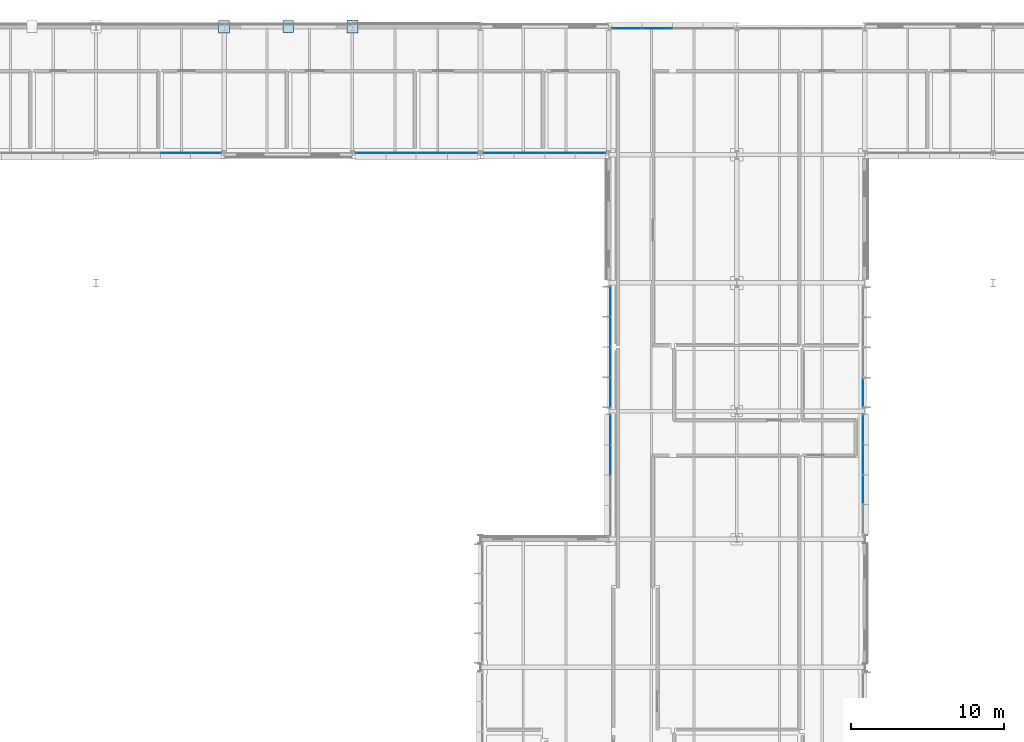
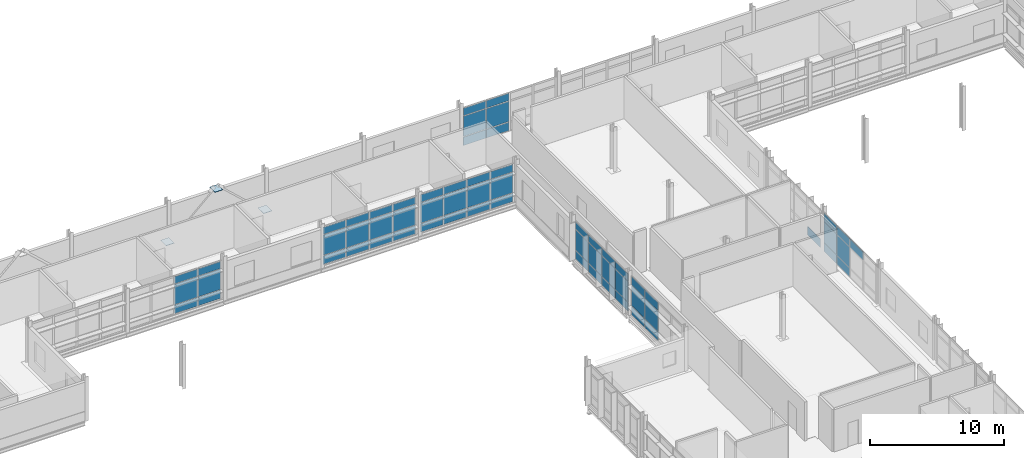
# One storey, part 113 of 151: 65 plates, 8 elements without a shape of their own.
"""IFC4 building model written with IfcOpenShell, lengths in metres."""

from ifc_helpers import new_model, si_unit, direction, frame, origin, origin_2d, place, context, subcontext, project, spatial, rectangle, extrude, material, layer, layer_set, type_object, element, aggregate, save


model = new_model("IFC4")

# Units and contexts
model_context = context("Model", 3, precision=1e-05, world=origin(), true_north=direction((0.0, 1.0)))
body_context = subcontext(model_context, "Body", "Model", "MODEL_VIEW")
ifc_project = project(units=[si_unit("LENGTHUNIT", "METRE"), si_unit("AREAUNIT", "SQUARE_METRE"), si_unit("VOLUMEUNIT", "CUBIC_METRE"), si_unit("PLANEANGLEUNIT", "RADIAN"), si_unit("MASSUNIT", "GRAM", prefix="KILO")], contexts=[model_context])

# Site, building, storey
site_placement = place(None, origin())
site = spatial("IfcSite", under=ifc_project, at=site_placement, CompositionType="ELEMENT")
building_placement = place(site_placement, origin())
building = spatial("IfcBuilding", under=site, at=building_placement, Name="Mersafa Astral City Hall", CompositionType="ELEMENT")
storey_placement = place(building_placement, frame((0.0, 0.0, 9.89990234375)))
storey = spatial("IfcBuildingStorey", under=building, at=storey_placement, Name="L02", CompositionType="ELEMENT", Elevation=9.89990234375)

# Curtain wall, plate
ifc_material_1 = material(Name="Anodised bronze aluminium framing", Category="aluminium")
curtain_wall_type_1 = type_object("IfcCurtainWallType", Name="ENV-CW-3", PredefinedType="USERDEFINED", material=ifc_material_1)
curtain_wall_1_placement = place(storey_placement, origin())
curtain_wall_1 = element("IfcCurtainWall", 1, at=curtain_wall_1_placement, inside=storey, type_object=curtain_wall_type_1, Name="L02 Unitised solar curtain wall 116", ObjectType="UNITISED CURTAIN WALL", PredefinedType="USERDEFINED")
ifc_material_2 = material(Name="Solar control low-e double glazing", Category="glass")
ifc_layer_1 = layer(ifc_material_2, 0.028076171875, Name="Solar control low-e double glazing")
ifc_layer_set_1 = layer_set([ifc_layer_1], Name="Solar control low-e double glazing — ENV-CW-PNL-GLZ-1")
plate_type_1 = type_object("IfcPlateType", Name="ENV-CW-PNL-GLZ-1", PredefinedType="CURTAIN_PANEL", material=ifc_layer_set_1)
plate_1_placement = place(storey_placement, frame((117.47998046875, 102.017822265625, 0.05810546875), z_axis=(0.0, 0.0, 1.0), x_axis=(0.0, 1.0, 0.0)))
plate_1 = element("IfcPlate", 2, at=plate_1_placement, type_object=plate_type_1, Name="CW-3 panel 1.1", PredefinedType="CURTAIN_PANEL", context=body_context, shape_type="SweptSolid", body=[
    extrude(rectangle(XDim=1.8916015625, YDim=0.028076171875, at=origin_2d()), origin(), (0.0, 0.0, 1.0), 0.761962890625),
])
aggregate(curtain_wall_1, [plate_1])

# Curtain wall, plates
curtain_wall_2_placement = place(storey_placement, origin())
curtain_wall_2 = element("IfcCurtainWall", 3, at=curtain_wall_2_placement, inside=storey, type_object=curtain_wall_type_1, Name="L02 Unitised solar curtain wall 140", ObjectType="UNITISED CURTAIN WALL", PredefinedType="USERDEFINED")
plate_2_placement = place(storey_placement, frame((85.1865234375, 117.719970703125, 0.05810546875), z_axis=(0.0, 0.0, 1.0), x_axis=(1.0, 0.0, 0.0)))
plate_2 = element("IfcPlate", 4, at=plate_2_placement, type_object=plate_type_1, Name="CW-3 panel 1.1", PredefinedType="CURTAIN_PANEL", context=body_context, shape_type="SweptSolid", body=[
    extrude(rectangle(XDim=1.928955078125, YDim=0.028076171875, at=origin_2d()), origin(), (0.0, 0.0, 1.0), 0.761962890625),
])
plate_3_placement = place(storey_placement, frame((85.1865234375, 117.719970703125, 0.8798828125), z_axis=(0.0, 0.0, 1.0), x_axis=(1.0, 0.0, 0.0)))
plate_3 = element("IfcPlate", 5, at=plate_3_placement, type_object=plate_type_1, Name="CW-3 panel 1.2", PredefinedType="CURTAIN_PANEL", context=body_context, shape_type="SweptSolid", body=[
    extrude(rectangle(XDim=1.928955078125, YDim=0.028076171875, at=origin_2d()), origin(), (0.0, 0.0, 1.0), 1.840087890625),
])
plate_4_placement = place(storey_placement, frame((85.1865234375, 117.719970703125, 2.780029296875), z_axis=(0.0, 0.0, 1.0), x_axis=(1.0, 0.0, 0.0)))
plate_4 = element("IfcPlate", 6, at=plate_4_placement, type_object=plate_type_1, Name="CW-3 panel 1.3", PredefinedType="CURTAIN_PANEL", context=body_context, shape_type="SweptSolid", body=[
    extrude(rectangle(XDim=1.928955078125, YDim=0.028076171875, at=origin_2d()), origin(), (0.0, 0.0, 1.0), 0.64697265625),
])
plate_5_placement = place(storey_placement, frame((87.1904296875, 117.719970703125, 0.05810546875), z_axis=(0.0, 0.0, 1.0), x_axis=(1.0, 0.0, 0.0)))
plate_5 = element("IfcPlate", 7, at=plate_5_placement, type_object=plate_type_1, Name="CW-3 panel 2.1", PredefinedType="CURTAIN_PANEL", context=body_context, shape_type="SweptSolid", body=[
    extrude(rectangle(XDim=1.958984375, YDim=0.028076171875, at=origin_2d()), origin(), (0.0, 0.0, 1.0), 0.761962890625),
])
plate_6_placement = place(storey_placement, frame((87.1904296875, 117.719970703125, 0.8798828125), z_axis=(0.0, 0.0, 1.0), x_axis=(1.0, 0.0, 0.0)))
plate_6 = element("IfcPlate", 8, at=plate_6_placement, type_object=plate_type_1, Name="CW-3 panel 2.2", PredefinedType="CURTAIN_PANEL", context=body_context, shape_type="SweptSolid", body=[
    extrude(rectangle(XDim=1.958984375, YDim=0.028076171875, at=origin_2d()), origin(), (0.0, 0.0, 1.0), 1.840087890625),
])
plate_7_placement = place(storey_placement, frame((87.1904296875, 117.719970703125, 2.780029296875), z_axis=(0.0, 0.0, 1.0), x_axis=(1.0, 0.0, 0.0)))
plate_7 = element("IfcPlate", 9, at=plate_7_placement, type_object=plate_type_1, Name="CW-3 panel 2.3", PredefinedType="CURTAIN_PANEL", context=body_context, shape_type="SweptSolid", body=[
    extrude(rectangle(XDim=1.958984375, YDim=0.028076171875, at=origin_2d()), origin(), (0.0, 0.0, 1.0), 0.64697265625),
])
plate_8_placement = place(storey_placement, frame((89.20947265625, 117.719970703125, 0.05810546875), z_axis=(0.0, 0.0, 1.0), x_axis=(1.0, 0.0, 0.0)))
plate_8 = element("IfcPlate", 10, at=plate_8_placement, type_object=plate_type_1, Name="CW-3 panel 3.1", PredefinedType="CURTAIN_PANEL", context=body_context, shape_type="SweptSolid", body=[
    extrude(rectangle(XDim=1.958984375, YDim=0.028076171875, at=origin_2d()), origin(), (0.0, 0.0, 1.0), 0.761962890625),
])
plate_9_placement = place(storey_placement, frame((89.20947265625, 117.719970703125, 0.8798828125), z_axis=(0.0, 0.0, 1.0), x_axis=(1.0, 0.0, 0.0)))
plate_9 = element("IfcPlate", 11, at=plate_9_placement, type_object=plate_type_1, Name="CW-3 panel 3.2", PredefinedType="CURTAIN_PANEL", context=body_context, shape_type="SweptSolid", body=[
    extrude(rectangle(XDim=1.958984375, YDim=0.028076171875, at=origin_2d()), origin(), (0.0, 0.0, 1.0), 1.840087890625),
])
plate_10_placement = place(storey_placement, frame((89.20947265625, 117.719970703125, 2.780029296875), z_axis=(0.0, 0.0, 1.0), x_axis=(1.0, 0.0, 0.0)))
plate_10 = element("IfcPlate", 12, at=plate_10_placement, type_object=plate_type_1, Name="CW-3 panel 3.3", PredefinedType="CURTAIN_PANEL", context=body_context, shape_type="SweptSolid", body=[
    extrude(rectangle(XDim=1.958984375, YDim=0.028076171875, at=origin_2d()), origin(), (0.0, 0.0, 1.0), 0.64697265625),
])
plate_11_placement = place(storey_placement, frame((91.21337890625, 117.719970703125, 0.05810546875), z_axis=(0.0, 0.0, 1.0), x_axis=(1.0, 0.0, 0.0)))
plate_11 = element("IfcPlate", 13, at=plate_11_placement, type_object=plate_type_1, Name="CW-3 panel 4.1", PredefinedType="CURTAIN_PANEL", context=body_context, shape_type="SweptSolid", body=[
    extrude(rectangle(XDim=1.928955078125, YDim=0.028076171875, at=origin_2d()), origin(), (0.0, 0.0, 1.0), 0.761962890625),
])
plate_12_placement = place(storey_placement, frame((91.21337890625, 117.719970703125, 0.8798828125), z_axis=(0.0, 0.0, 1.0), x_axis=(1.0, 0.0, 0.0)))
plate_12 = element("IfcPlate", 14, at=plate_12_placement, type_object=plate_type_1, Name="CW-3 panel 4.2", PredefinedType="CURTAIN_PANEL", context=body_context, shape_type="SweptSolid", body=[
    extrude(rectangle(XDim=1.928955078125, YDim=0.028076171875, at=origin_2d()), origin(), (0.0, 0.0, 1.0), 1.840087890625),
])
plate_13_placement = place(storey_placement, frame((91.21337890625, 117.719970703125, 2.780029296875), z_axis=(0.0, 0.0, 1.0), x_axis=(1.0, 0.0, 0.0)))
plate_13 = element("IfcPlate", 15, at=plate_13_placement, type_object=plate_type_1, Name="CW-3 panel 4.3", PredefinedType="CURTAIN_PANEL", context=body_context, shape_type="SweptSolid", body=[
    extrude(rectangle(XDim=1.928955078125, YDim=0.028076171875, at=origin_2d()), origin(), (0.0, 0.0, 1.0), 0.64697265625),
])
aggregate(curtain_wall_2, [plate_2, plate_3, plate_4, plate_5, plate_6, plate_7, plate_8, plate_9, plate_10, plate_11, plate_12, plate_13])

curtain_wall_type_2 = type_object("IfcCurtainWallType", Name="ENV-CW-4", PredefinedType="USERDEFINED", material=ifc_material_1)
curtain_wall_3_placement = place(storey_placement, origin())
curtain_wall_3 = element("IfcCurtainWall", 16, at=curtain_wall_3_placement, inside=storey, type_object=curtain_wall_type_2, Name="L02 Unitised solar curtain wall 129", ObjectType="UNITISED CURTAIN WALL", PredefinedType="USERDEFINED")
ifc_layer_2 = layer(ifc_material_2, 0.031982421875, Name="Solar control low-e double glazing")
ifc_layer_set_2 = layer_set([ifc_layer_2], Name="Solar control low-e double glazing — ENV-CW-PNL-GLZ-2")
plate_type_2 = type_object("IfcPlateType", Name="ENV-CW-PNL-GLZ-2", PredefinedType="CURTAIN_PANEL", material=ifc_layer_set_2)
plate_14_placement = place(storey_placement, frame((103.990478515625, 125.8798828125, 0.05810546875), z_axis=(0.0, 0.0, 1.0), x_axis=(-1.0, 0.0, 0.0)))
plate_14 = element("IfcPlate", 17, at=plate_14_placement, type_object=plate_type_2, Name="CW-4 panel 3.1", PredefinedType="CURTAIN_PANEL", context=body_context, shape_type="SweptSolid", body=[
    extrude(rectangle(XDim=1.958984375, YDim=0.031982421875, at=origin_2d()), origin(), (0.0, 0.0, 1.0), 0.761962890625),
])
plate_15_placement = place(storey_placement, frame((103.990478515625, 125.8798828125, 0.8798828125), z_axis=(0.0, 0.0, 1.0), x_axis=(-1.0, 0.0, 0.0)))
plate_15 = element("IfcPlate", 18, at=plate_15_placement, type_object=plate_type_2, Name="CW-4 panel 3.2", PredefinedType="CURTAIN_PANEL", context=body_context, shape_type="SweptSolid", body=[
    extrude(rectangle(XDim=1.958984375, YDim=0.031982421875, at=origin_2d()), origin(), (0.0, 0.0, 1.0), 1.840087890625),
])
plate_16_placement = place(storey_placement, frame((103.990478515625, 125.8798828125, 2.7802734375), z_axis=(0.0, 0.0, 1.0), x_axis=(-1.0, 0.0, 0.0)))
plate_16 = element("IfcPlate", 19, at=plate_16_placement, type_object=plate_type_2, Name="CW-4 panel 3.3", PredefinedType="CURTAIN_PANEL", context=body_context, shape_type="SweptSolid", body=[
    extrude(rectangle(XDim=1.958984375, YDim=0.031982421875, at=origin_2d()), origin(), (0.0, 0.0, 1.0), 0.677001953125),
])
plate_17_placement = place(storey_placement, frame((101.986572265625, 125.8798828125, 0.05810546875), z_axis=(0.0, 0.0, 1.0), x_axis=(-1.0, 0.0, 0.0)))
plate_17 = element("IfcPlate", 20, at=plate_17_placement, type_object=plate_type_2, Name="CW-4 panel 4.1", PredefinedType="CURTAIN_PANEL", context=body_context, shape_type="SweptSolid", body=[
    extrude(rectangle(XDim=1.928955078125, YDim=0.031982421875, at=origin_2d()), origin(), (0.0, 0.0, 1.0), 0.761962890625),
])
plate_18_placement = place(storey_placement, frame((101.986572265625, 125.8798828125, 0.8798828125), z_axis=(0.0, 0.0, 1.0), x_axis=(-1.0, 0.0, 0.0)))
plate_18 = element("IfcPlate", 21, at=plate_18_placement, type_object=plate_type_2, Name="CW-4 panel 4.2", PredefinedType="CURTAIN_PANEL", context=body_context, shape_type="SweptSolid", body=[
    extrude(rectangle(XDim=1.928955078125, YDim=0.031982421875, at=origin_2d()), origin(), (0.0, 0.0, 1.0), 1.840087890625),
])
plate_19_placement = place(storey_placement, frame((101.986572265625, 125.8798828125, 2.7802734375), z_axis=(0.0, 0.0, 1.0), x_axis=(-1.0, 0.0, 0.0)))
plate_19 = element("IfcPlate", 22, at=plate_19_placement, type_object=plate_type_2, Name="CW-4 panel 4.3", PredefinedType="CURTAIN_PANEL", context=body_context, shape_type="SweptSolid", body=[
    extrude(rectangle(XDim=1.928955078125, YDim=0.031982421875, at=origin_2d()), origin(), (0.0, 0.0, 1.0), 0.677001953125),
])
aggregate(curtain_wall_3, [plate_14, plate_15, plate_16, plate_17, plate_18, plate_19])

curtain_wall_4_placement = place(storey_placement, origin())
curtain_wall_4 = element("IfcCurtainWall", 23, at=curtain_wall_4_placement, inside=storey, type_object=curtain_wall_type_2, Name="L02 Unitised solar curtain wall 141", ObjectType="UNITISED CURTAIN WALL", PredefinedType="USERDEFINED")
plate_20_placement = place(storey_placement, frame((93.58642578125, 117.719970703125, 0.05810546875), z_axis=(0.0, 0.0, 1.0), x_axis=(1.0, 0.0, 0.0)))
plate_20 = element("IfcPlate", 24, at=plate_20_placement, type_object=plate_type_2, Name="CW-4 panel 1.1", PredefinedType="CURTAIN_PANEL", context=body_context, shape_type="SweptSolid", body=[
    extrude(rectangle(XDim=1.928955078125, YDim=0.031982421875, at=origin_2d()), origin(), (0.0, 0.0, 1.0), 0.761962890625),
])
plate_21_placement = place(storey_placement, frame((93.58642578125, 117.719970703125, 0.8798828125), z_axis=(0.0, 0.0, 1.0), x_axis=(1.0, 0.0, 0.0)))
plate_21 = element("IfcPlate", 25, at=plate_21_placement, type_object=plate_type_2, Name="CW-4 panel 1.2", PredefinedType="CURTAIN_PANEL", context=body_context, shape_type="SweptSolid", body=[
    extrude(rectangle(XDim=1.928955078125, YDim=0.031982421875, at=origin_2d()), origin(), (0.0, 0.0, 1.0), 1.840087890625),
])
plate_22_placement = place(storey_placement, frame((93.58642578125, 117.719970703125, 2.7802734375), z_axis=(0.0, 0.0, 1.0), x_axis=(1.0, 0.0, 0.0)))
plate_22 = element("IfcPlate", 26, at=plate_22_placement, type_object=plate_type_2, Name="CW-4 panel 1.3", PredefinedType="CURTAIN_PANEL", context=body_context, shape_type="SweptSolid", body=[
    extrude(rectangle(XDim=1.928955078125, YDim=0.031982421875, at=origin_2d()), origin(), (0.0, 0.0, 1.0), 0.677001953125),
])
plate_23_placement = place(storey_placement, frame((95.590576171875, 117.719970703125, 0.05810546875), z_axis=(0.0, 0.0, 1.0), x_axis=(1.0, 0.0, 0.0)))
plate_23 = element("IfcPlate", 27, at=plate_23_placement, type_object=plate_type_2, Name="CW-4 panel 2.1", PredefinedType="CURTAIN_PANEL", context=body_context, shape_type="SweptSolid", body=[
    extrude(rectangle(XDim=1.958984375, YDim=0.031982421875, at=origin_2d()), origin(), (0.0, 0.0, 1.0), 0.761962890625),
])
plate_24_placement = place(storey_placement, frame((95.590576171875, 117.719970703125, 0.8798828125), z_axis=(0.0, 0.0, 1.0), x_axis=(1.0, 0.0, 0.0)))
plate_24 = element("IfcPlate", 28, at=plate_24_placement, type_object=plate_type_2, Name="CW-4 panel 2.2", PredefinedType="CURTAIN_PANEL", context=body_context, shape_type="SweptSolid", body=[
    extrude(rectangle(XDim=1.958984375, YDim=0.031982421875, at=origin_2d()), origin(), (0.0, 0.0, 1.0), 1.840087890625),
])
plate_25_placement = place(storey_placement, frame((95.590576171875, 117.719970703125, 2.7802734375), z_axis=(0.0, 0.0, 1.0), x_axis=(1.0, 0.0, 0.0)))
plate_25 = element("IfcPlate", 29, at=plate_25_placement, type_object=plate_type_2, Name="CW-4 panel 2.3", PredefinedType="CURTAIN_PANEL", context=body_context, shape_type="SweptSolid", body=[
    extrude(rectangle(XDim=1.958984375, YDim=0.031982421875, at=origin_2d()), origin(), (0.0, 0.0, 1.0), 0.677001953125),
])
plate_26_placement = place(storey_placement, frame((97.609619140625, 117.719970703125, 0.05810546875), z_axis=(0.0, 0.0, 1.0), x_axis=(1.0, 0.0, 0.0)))
plate_26 = element("IfcPlate", 30, at=plate_26_placement, type_object=plate_type_2, Name="CW-4 panel 3.1", PredefinedType="CURTAIN_PANEL", context=body_context, shape_type="SweptSolid", body=[
    extrude(rectangle(XDim=1.958984375, YDim=0.031982421875, at=origin_2d()), origin(), (0.0, 0.0, 1.0), 0.761962890625),
])
plate_27_placement = place(storey_placement, frame((97.609619140625, 117.719970703125, 0.8798828125), z_axis=(0.0, 0.0, 1.0), x_axis=(1.0, 0.0, 0.0)))
plate_27 = element("IfcPlate", 31, at=plate_27_placement, type_object=plate_type_2, Name="CW-4 panel 3.2", PredefinedType="CURTAIN_PANEL", context=body_context, shape_type="SweptSolid", body=[
    extrude(rectangle(XDim=1.958984375, YDim=0.031982421875, at=origin_2d()), origin(), (0.0, 0.0, 1.0), 1.840087890625),
])
plate_28_placement = place(storey_placement, frame((97.609619140625, 117.719970703125, 2.7802734375), z_axis=(0.0, 0.0, 1.0), x_axis=(1.0, 0.0, 0.0)))
plate_28 = element("IfcPlate", 32, at=plate_28_placement, type_object=plate_type_2, Name="CW-4 panel 3.3", PredefinedType="CURTAIN_PANEL", context=body_context, shape_type="SweptSolid", body=[
    extrude(rectangle(XDim=1.958984375, YDim=0.031982421875, at=origin_2d()), origin(), (0.0, 0.0, 1.0), 0.677001953125),
])
plate_29_placement = place(storey_placement, frame((99.613525390625, 117.719970703125, 0.05810546875), z_axis=(0.0, 0.0, 1.0), x_axis=(1.0, 0.0, 0.0)))
plate_29 = element("IfcPlate", 33, at=plate_29_placement, type_object=plate_type_2, Name="CW-4 panel 4.1", PredefinedType="CURTAIN_PANEL", context=body_context, shape_type="SweptSolid", body=[
    extrude(rectangle(XDim=1.928955078125, YDim=0.031982421875, at=origin_2d()), origin(), (0.0, 0.0, 1.0), 0.761962890625),
])
plate_30_placement = place(storey_placement, frame((99.613525390625, 117.719970703125, 0.8798828125), z_axis=(0.0, 0.0, 1.0), x_axis=(1.0, 0.0, 0.0)))
plate_30 = element("IfcPlate", 34, at=plate_30_placement, type_object=plate_type_2, Name="CW-4 panel 4.2", PredefinedType="CURTAIN_PANEL", context=body_context, shape_type="SweptSolid", body=[
    extrude(rectangle(XDim=1.928955078125, YDim=0.031982421875, at=origin_2d()), origin(), (0.0, 0.0, 1.0), 1.840087890625),
])
plate_31_placement = place(storey_placement, frame((99.613525390625, 117.719970703125, 2.7802734375), z_axis=(0.0, 0.0, 1.0), x_axis=(1.0, 0.0, 0.0)))
plate_31 = element("IfcPlate", 35, at=plate_31_placement, type_object=plate_type_2, Name="CW-4 panel 4.3", PredefinedType="CURTAIN_PANEL", context=body_context, shape_type="SweptSolid", body=[
    extrude(rectangle(XDim=1.928955078125, YDim=0.031982421875, at=origin_2d()), origin(), (0.0, 0.0, 1.0), 0.677001953125),
])
aggregate(curtain_wall_4, [plate_20, plate_21, plate_22, plate_23, plate_24, plate_25, plate_26, plate_27, plate_28, plate_29, plate_30, plate_31])

curtain_wall_type_3 = type_object("IfcCurtainWallType", Name="ENV-CW-5", PredefinedType="USERDEFINED", material=ifc_material_1)
curtain_wall_5_placement = place(storey_placement, origin())
curtain_wall_5 = element("IfcCurtainWall", 36, at=curtain_wall_5_placement, inside=storey, type_object=curtain_wall_type_3, Name="L02 Unitised solar curtain wall 142", ObjectType="UNITISED CURTAIN WALL", PredefinedType="USERDEFINED")
ifc_layer_3 = layer(ifc_material_2, 0.035888671875, Name="Solar control low-e double glazing")
ifc_layer_set_3 = layer_set([ifc_layer_3], Name="Solar control low-e double glazing — ENV-CW-PNL-GLZ-3")
plate_type_3 = type_object("IfcPlateType", Name="ENV-CW-PNL-GLZ-3", PredefinedType="CURTAIN_PANEL", material=ifc_layer_set_3)
plate_32_placement = place(storey_placement, frame((100.919921875, 107.97607421875, 0.05810546875), z_axis=(0.0, 0.0, 1.0), x_axis=(0.0, -1.0, 0.0)))
plate_32 = element("IfcPlate", 37, at=plate_32_placement, type_object=plate_type_3, Name="CW-5 panel 1.1", PredefinedType="CURTAIN_PANEL", context=body_context, shape_type="SweptSolid", body=[
    extrude(rectangle(XDim=1.904052734375, YDim=0.035888671875, at=origin_2d()), origin(), (0.0, 0.0, 1.0), 0.761962890625),
])
plate_33_placement = place(storey_placement, frame((100.919921875, 107.97607421875, 0.8798828125), z_axis=(0.0, 0.0, 1.0), x_axis=(0.0, -1.0, 0.0)))
plate_33 = element("IfcPlate", 38, at=plate_33_placement, type_object=plate_type_3, Name="CW-5 panel 1.2", PredefinedType="CURTAIN_PANEL", context=body_context, shape_type="SweptSolid", body=[
    extrude(rectangle(XDim=1.904052734375, YDim=0.035888671875, at=origin_2d()), origin(), (0.0, 0.0, 1.0), 1.840087890625),
])
plate_34_placement = place(storey_placement, frame((100.919921875, 107.97607421875, 2.780029296875), z_axis=(0.0, 0.0, 1.0), x_axis=(0.0, -1.0, 0.0)))
plate_34 = element("IfcPlate", 39, at=plate_34_placement, type_object=plate_type_3, Name="CW-5 panel 1.3", PredefinedType="CURTAIN_PANEL", context=body_context, shape_type="SweptSolid", body=[
    extrude(rectangle(XDim=1.904052734375, YDim=0.035888671875, at=origin_2d()), origin(), (0.0, 0.0, 1.0), 0.64697265625),
])
plate_35_placement = place(storey_placement, frame((100.919921875, 105.9970703125, 0.05810546875), z_axis=(0.0, 0.0, 1.0), x_axis=(0.0, -1.0, 0.0)))
plate_35 = element("IfcPlate", 40, at=plate_35_placement, type_object=plate_type_3, Name="CW-5 panel 2.1", PredefinedType="CURTAIN_PANEL", context=body_context, shape_type="SweptSolid", body=[
    extrude(rectangle(XDim=1.93408203125, YDim=0.035888671875, at=origin_2d()), origin(), (0.0, 0.0, 1.0), 0.761962890625),
])
plate_36_placement = place(storey_placement, frame((100.919921875, 105.9970703125, 0.8798828125), z_axis=(0.0, 0.0, 1.0), x_axis=(0.0, -1.0, 0.0)))
plate_36 = element("IfcPlate", 41, at=plate_36_placement, type_object=plate_type_3, Name="CW-5 panel 2.2", PredefinedType="CURTAIN_PANEL", context=body_context, shape_type="SweptSolid", body=[
    extrude(rectangle(XDim=1.93408203125, YDim=0.035888671875, at=origin_2d()), origin(), (0.0, 0.0, 1.0), 1.840087890625),
])
plate_37_placement = place(storey_placement, frame((100.919921875, 105.9970703125, 2.780029296875), z_axis=(0.0, 0.0, 1.0), x_axis=(0.0, -1.0, 0.0)))
plate_37 = element("IfcPlate", 42, at=plate_37_placement, type_object=plate_type_3, Name="CW-5 panel 2.3", PredefinedType="CURTAIN_PANEL", context=body_context, shape_type="SweptSolid", body=[
    extrude(rectangle(XDim=1.93408203125, YDim=0.035888671875, at=origin_2d()), origin(), (0.0, 0.0, 1.0), 0.64697265625),
])
plate_38_placement = place(storey_placement, frame((100.919921875, 104.0029296875, 0.05810546875), z_axis=(0.0, 0.0, 1.0), x_axis=(0.0, -1.0, 0.0)))
plate_38 = element("IfcPlate", 43, at=plate_38_placement, type_object=plate_type_3, Name="CW-5 panel 3.1", PredefinedType="CURTAIN_PANEL", context=body_context, shape_type="SweptSolid", body=[
    extrude(rectangle(XDim=1.93408203125, YDim=0.035888671875, at=origin_2d()), origin(), (0.0, 0.0, 1.0), 0.761962890625),
])
plate_39_placement = place(storey_placement, frame((100.919921875, 104.0029296875, 0.8798828125), z_axis=(0.0, 0.0, 1.0), x_axis=(0.0, -1.0, 0.0)))
plate_39 = element("IfcPlate", 44, at=plate_39_placement, type_object=plate_type_3, Name="CW-5 panel 3.2", PredefinedType="CURTAIN_PANEL", context=body_context, shape_type="SweptSolid", body=[
    extrude(rectangle(XDim=1.93408203125, YDim=0.035888671875, at=origin_2d()), origin(), (0.0, 0.0, 1.0), 1.840087890625),
])
plate_40_placement = place(storey_placement, frame((100.919921875, 104.0029296875, 2.780029296875), z_axis=(0.0, 0.0, 1.0), x_axis=(0.0, -1.0, 0.0)))
plate_40 = element("IfcPlate", 45, at=plate_40_placement, type_object=plate_type_3, Name="CW-5 panel 3.3", PredefinedType="CURTAIN_PANEL", context=body_context, shape_type="SweptSolid", body=[
    extrude(rectangle(XDim=1.93408203125, YDim=0.035888671875, at=origin_2d()), origin(), (0.0, 0.0, 1.0), 0.64697265625),
])
plate_41_placement = place(storey_placement, frame((100.919921875, 102.02392578125, 0.05810546875), z_axis=(0.0, 0.0, 1.0), x_axis=(0.0, -1.0, 0.0)))
plate_41 = element("IfcPlate", 46, at=plate_41_placement, type_object=plate_type_3, Name="CW-5 panel 4.1", PredefinedType="CURTAIN_PANEL", context=body_context, shape_type="SweptSolid", body=[
    extrude(rectangle(XDim=1.904052734375, YDim=0.035888671875, at=origin_2d()), origin(), (0.0, 0.0, 1.0), 0.761962890625),
])
plate_42_placement = place(storey_placement, frame((100.919921875, 102.02392578125, 0.8798828125), z_axis=(0.0, 0.0, 1.0), x_axis=(0.0, -1.0, 0.0)))
plate_42 = element("IfcPlate", 47, at=plate_42_placement, type_object=plate_type_3, Name="CW-5 panel 4.2", PredefinedType="CURTAIN_PANEL", context=body_context, shape_type="SweptSolid", body=[
    extrude(rectangle(XDim=1.904052734375, YDim=0.035888671875, at=origin_2d()), origin(), (0.0, 0.0, 1.0), 1.840087890625),
])
plate_43_placement = place(storey_placement, frame((100.919921875, 102.02392578125, 2.780029296875), z_axis=(0.0, 0.0, 1.0), x_axis=(0.0, -1.0, 0.0)))
plate_43 = element("IfcPlate", 48, at=plate_43_placement, type_object=plate_type_3, Name="CW-5 panel 4.3", PredefinedType="CURTAIN_PANEL", context=body_context, shape_type="SweptSolid", body=[
    extrude(rectangle(XDim=1.904052734375, YDim=0.035888671875, at=origin_2d()), origin(), (0.0, 0.0, 1.0), 0.64697265625),
])
aggregate(curtain_wall_5, [plate_32, plate_33, plate_34, plate_35, plate_36, plate_37, plate_38, plate_39, plate_40, plate_41, plate_42, plate_43])

curtain_wall_type_4 = type_object("IfcCurtainWallType", Name="ENV-CW-2", PredefinedType="USERDEFINED", material=ifc_material_1)
curtain_wall_6_placement = place(storey_placement, origin())
curtain_wall_6 = element("IfcCurtainWall", 49, at=curtain_wall_6_placement, inside=storey, type_object=curtain_wall_type_4, Name="L02 Unitised solar curtain wall 115", ObjectType="UNITISED CURTAIN WALL", PredefinedType="USERDEFINED")
ifc_layer_4 = layer(ifc_material_2, 0.0400390625, Name="Solar control low-e double glazing")
ifc_layer_set_4 = layer_set([ifc_layer_4], Name="Solar control low-e double glazing — ENV-CW-PNL-GLZ-4")
plate_type_4 = type_object("IfcPlateType", Name="ENV-CW-PNL-GLZ-4", PredefinedType="CURTAIN_PANEL", material=ifc_layer_set_4)
plate_44_placement = place(storey_placement, frame((117.47998046875, 95.64990234375, 2.7802734375), z_axis=(0.0, 0.0, 1.0), x_axis=(0.0, 1.0, 0.0)))
plate_44 = element("IfcPlate", 50, at=plate_44_placement, type_object=plate_type_4, Name="CW-2 panel 2.3", PredefinedType="CURTAIN_PANEL", context=body_context, shape_type="SweptSolid", body=[
    extrude(rectangle(XDim=1.915283203125, YDim=0.0400390625, at=origin_2d()), origin(), (0.0, 0.0, 1.0), 0.737060546875),
])
plate_45_placement = place(storey_placement, frame((117.47998046875, 97.625244140625, 0.05810546875), z_axis=(0.0, 0.0, 1.0), x_axis=(0.0, 1.0, 0.0)))
plate_45 = element("IfcPlate", 51, at=plate_45_placement, type_object=plate_type_4, Name="CW-2 panel 3.1", PredefinedType="CURTAIN_PANEL", context=body_context, shape_type="SweptSolid", body=[
    extrude(rectangle(XDim=1.915283203125, YDim=0.0400390625, at=origin_2d()), origin(), (0.0, 0.0, 1.0), 0.761962890625),
])
plate_46_placement = place(storey_placement, frame((117.47998046875, 97.625244140625, 0.8798828125), z_axis=(0.0, 0.0, 1.0), x_axis=(0.0, 1.0, 0.0)))
plate_46 = element("IfcPlate", 52, at=plate_46_placement, type_object=plate_type_4, Name="CW-2 panel 3.2", PredefinedType="CURTAIN_PANEL", context=body_context, shape_type="SweptSolid", body=[
    extrude(rectangle(XDim=1.915283203125, YDim=0.0400390625, at=origin_2d()), origin(), (0.0, 0.0, 1.0), 1.840087890625),
])
plate_47_placement = place(storey_placement, frame((117.47998046875, 97.625244140625, 2.7802734375), z_axis=(0.0, 0.0, 1.0), x_axis=(0.0, 1.0, 0.0)))
plate_47 = element("IfcPlate", 53, at=plate_47_placement, type_object=plate_type_4, Name="CW-2 panel 3.3", PredefinedType="CURTAIN_PANEL", context=body_context, shape_type="SweptSolid", body=[
    extrude(rectangle(XDim=1.915283203125, YDim=0.0400390625, at=origin_2d()), origin(), (0.0, 0.0, 1.0), 0.737060546875),
])
plate_48_placement = place(storey_placement, frame((117.47998046875, 99.58544921875, 0.05810546875), z_axis=(0.0, 0.0, 1.0), x_axis=(0.0, 1.0, 0.0)))
plate_48 = element("IfcPlate", 54, at=plate_48_placement, type_object=plate_type_4, Name="CW-2 panel 4.1", PredefinedType="CURTAIN_PANEL", context=body_context, shape_type="SweptSolid", body=[
    extrude(rectangle(XDim=1.88525390625, YDim=0.0400390625, at=origin_2d()), origin(), (0.0, 0.0, 1.0), 0.761962890625),
])
plate_49_placement = place(storey_placement, frame((117.47998046875, 99.58544921875, 0.8798828125), z_axis=(0.0, 0.0, 1.0), x_axis=(0.0, 1.0, 0.0)))
plate_49 = element("IfcPlate", 55, at=plate_49_placement, type_object=plate_type_4, Name="CW-2 panel 4.2", PredefinedType="CURTAIN_PANEL", context=body_context, shape_type="SweptSolid", body=[
    extrude(rectangle(XDim=1.88525390625, YDim=0.0400390625, at=origin_2d()), origin(), (0.0, 0.0, 1.0), 1.840087890625),
])
plate_50_placement = place(storey_placement, frame((117.47998046875, 99.58544921875, 2.7802734375), z_axis=(0.0, 0.0, 1.0), x_axis=(0.0, 1.0, 0.0)))
plate_50 = element("IfcPlate", 56, at=plate_50_placement, type_object=plate_type_4, Name="CW-2 panel 4.3", PredefinedType="CURTAIN_PANEL", context=body_context, shape_type="SweptSolid", body=[
    extrude(rectangle(XDim=1.88525390625, YDim=0.0400390625, at=origin_2d()), origin(), (0.0, 0.0, 1.0), 0.737060546875),
])
aggregate(curtain_wall_6, [plate_44, plate_45, plate_46, plate_47, plate_48, plate_49, plate_50])

curtain_wall_7_placement = place(storey_placement, origin())
curtain_wall_7 = element("IfcCurtainWall", 57, at=curtain_wall_7_placement, inside=storey, type_object=curtain_wall_type_4, Name="L02 Unitised solar curtain wall 139", ObjectType="UNITISED CURTAIN WALL", PredefinedType="USERDEFINED")
plate_51_placement = place(storey_placement, frame((72.409423828125, 117.719970703125, 0.05810546875), z_axis=(0.0, 0.0, 1.0), x_axis=(1.0, 0.0, 0.0)))
plate_51 = element("IfcPlate", 58, at=plate_51_placement, type_object=plate_type_4, Name="CW-2 panel 3.1", PredefinedType="CURTAIN_PANEL", context=body_context, shape_type="SweptSolid", body=[
    extrude(rectangle(XDim=1.958984375, YDim=0.0400390625, at=origin_2d()), origin(), (0.0, 0.0, 1.0), 0.761962890625),
])
plate_52_placement = place(storey_placement, frame((72.409423828125, 117.719970703125, 0.8798828125), z_axis=(0.0, 0.0, 1.0), x_axis=(1.0, 0.0, 0.0)))
plate_52 = element("IfcPlate", 59, at=plate_52_placement, type_object=plate_type_4, Name="CW-2 panel 3.2", PredefinedType="CURTAIN_PANEL", context=body_context, shape_type="SweptSolid", body=[
    extrude(rectangle(XDim=1.958984375, YDim=0.0400390625, at=origin_2d()), origin(), (0.0, 0.0, 1.0), 1.840087890625),
])
plate_53_placement = place(storey_placement, frame((72.409423828125, 117.719970703125, 2.780029296875), z_axis=(0.0, 0.0, 1.0), x_axis=(1.0, 0.0, 0.0)))
plate_53 = element("IfcPlate", 60, at=plate_53_placement, type_object=plate_type_4, Name="CW-2 panel 3.3", PredefinedType="CURTAIN_PANEL", context=body_context, shape_type="SweptSolid", body=[
    extrude(rectangle(XDim=1.958984375, YDim=0.0400390625, at=origin_2d()), origin(), (0.0, 0.0, 1.0), 0.64697265625),
])
plate_54_placement = place(storey_placement, frame((74.41357421875, 117.719970703125, 0.05810546875), z_axis=(0.0, 0.0, 1.0), x_axis=(1.0, 0.0, 0.0)))
plate_54 = element("IfcPlate", 61, at=plate_54_placement, type_object=plate_type_4, Name="CW-2 panel 4.1", PredefinedType="CURTAIN_PANEL", context=body_context, shape_type="SweptSolid", body=[
    extrude(rectangle(XDim=1.928955078125, YDim=0.0400390625, at=origin_2d()), origin(), (0.0, 0.0, 1.0), 0.761962890625),
])
plate_55_placement = place(storey_placement, frame((74.41357421875, 117.719970703125, 0.8798828125), z_axis=(0.0, 0.0, 1.0), x_axis=(1.0, 0.0, 0.0)))
plate_55 = element("IfcPlate", 62, at=plate_55_placement, type_object=plate_type_4, Name="CW-2 panel 4.2", PredefinedType="CURTAIN_PANEL", context=body_context, shape_type="SweptSolid", body=[
    extrude(rectangle(XDim=1.928955078125, YDim=0.0400390625, at=origin_2d()), origin(), (0.0, 0.0, 1.0), 1.840087890625),
])
plate_56_placement = place(storey_placement, frame((74.41357421875, 117.719970703125, 2.780029296875), z_axis=(0.0, 0.0, 1.0), x_axis=(1.0, 0.0, 0.0)))
plate_56 = element("IfcPlate", 63, at=plate_56_placement, type_object=plate_type_4, Name="CW-2 panel 4.3", PredefinedType="CURTAIN_PANEL", context=body_context, shape_type="SweptSolid", body=[
    extrude(rectangle(XDim=1.928955078125, YDim=0.0400390625, at=origin_2d()), origin(), (0.0, 0.0, 1.0), 0.64697265625),
])
aggregate(curtain_wall_7, [plate_51, plate_52, plate_53, plate_54, plate_55, plate_56])

curtain_wall_type_5 = type_object("IfcCurtainWallType", Name="ENV-CW-6", PredefinedType="USERDEFINED", material=ifc_material_1)
curtain_wall_8_placement = place(storey_placement, origin())
curtain_wall_8 = element("IfcCurtainWall", 64, at=curtain_wall_8_placement, inside=storey, type_object=curtain_wall_type_5, Name="L02 Unitised solar curtain wall 143", ObjectType="UNITISED CURTAIN WALL", PredefinedType="USERDEFINED")
plate_57_placement = place(storey_placement, frame((100.919921875, 99.575927734375, 0.05810546875), z_axis=(0.0, 0.0, 1.0), x_axis=(0.0, -1.0, 0.0)))
plate_57 = element("IfcPlate", 65, at=plate_57_placement, type_object=plate_type_4, Name="CW-6 panel 1.1", PredefinedType="CURTAIN_PANEL", context=body_context, shape_type="SweptSolid", body=[
    extrude(rectangle(XDim=1.904052734375, YDim=0.0400390625, at=origin_2d()), origin(), (0.0, 0.0, 1.0), 0.761962890625),
])
plate_58_placement = place(storey_placement, frame((100.919921875, 99.575927734375, 0.8798828125), z_axis=(0.0, 0.0, 1.0), x_axis=(0.0, -1.0, 0.0)))
plate_58 = element("IfcPlate", 66, at=plate_58_placement, type_object=plate_type_4, Name="CW-6 panel 1.2", PredefinedType="CURTAIN_PANEL", context=body_context, shape_type="SweptSolid", body=[
    extrude(rectangle(XDim=1.904052734375, YDim=0.0400390625, at=origin_2d()), origin(), (0.0, 0.0, 1.0), 1.840087890625),
])
plate_59_placement = place(storey_placement, frame((100.919921875, 99.575927734375, 2.7802734375), z_axis=(0.0, 0.0, 1.0), x_axis=(0.0, -1.0, 0.0)))
plate_59 = element("IfcPlate", 67, at=plate_59_placement, type_object=plate_type_4, Name="CW-6 panel 1.3", PredefinedType="CURTAIN_PANEL", context=body_context, shape_type="SweptSolid", body=[
    extrude(rectangle(XDim=1.904052734375, YDim=0.0400390625, at=origin_2d()), origin(), (0.0, 0.0, 1.0), 0.737060546875),
])
plate_60_placement = place(storey_placement, frame((100.919921875, 97.596923828125, 0.05810546875), z_axis=(0.0, 0.0, 1.0), x_axis=(0.0, -1.0, 0.0)))
plate_60 = element("IfcPlate", 68, at=plate_60_placement, type_object=plate_type_4, Name="CW-6 panel 2.1", PredefinedType="CURTAIN_PANEL", context=body_context, shape_type="SweptSolid", body=[
    extrude(rectangle(XDim=1.93408203125, YDim=0.0400390625, at=origin_2d()), origin(), (0.0, 0.0, 1.0), 0.761962890625),
])
plate_61_placement = place(storey_placement, frame((100.919921875, 97.596923828125, 0.8798828125), z_axis=(0.0, 0.0, 1.0), x_axis=(0.0, -1.0, 0.0)))
plate_61 = element("IfcPlate", 69, at=plate_61_placement, type_object=plate_type_4, Name="CW-6 panel 2.2", PredefinedType="CURTAIN_PANEL", context=body_context, shape_type="SweptSolid", body=[
    extrude(rectangle(XDim=1.93408203125, YDim=0.0400390625, at=origin_2d()), origin(), (0.0, 0.0, 1.0), 1.840087890625),
])
plate_62_placement = place(storey_placement, frame((100.919921875, 97.596923828125, 2.7802734375), z_axis=(0.0, 0.0, 1.0), x_axis=(0.0, -1.0, 0.0)))
plate_62 = element("IfcPlate", 70, at=plate_62_placement, type_object=plate_type_4, Name="CW-6 panel 2.3", PredefinedType="CURTAIN_PANEL", context=body_context, shape_type="SweptSolid", body=[
    extrude(rectangle(XDim=1.93408203125, YDim=0.0400390625, at=origin_2d()), origin(), (0.0, 0.0, 1.0), 0.737060546875),
])
aggregate(curtain_wall_8, [plate_57, plate_58, plate_59, plate_60, plate_61, plate_62])

# Plates
ifc_material_3 = material(Name="Steel S355", Category="steel")
ifc_layer_5 = layer(ifc_material_3, 0.027099609375, Name="Steel S355")
ifc_layer_set_5 = layer_set([ifc_layer_5], Name="Steel S355 — STR-PLT-NP-14")
plate_type_5 = type_object("IfcPlateType", Name="STR-PLT-NP-14", PredefinedType="SHEET", material=ifc_layer_set_5)
plate_63_placement = place(storey_placement, frame((79.800048828125, 126.0, 3.486328125), z_axis=(0.0, 0.0, 1.0), x_axis=(1.0, 0.0, 0.0)))
element("IfcPlate", 71, at=plate_63_placement, inside=storey, type_object=plate_type_5, Name="L02 Structural steel brace gusset plate NP-14", PredefinedType="SHEET", context=body_context, shape_type="SweptSolid", body=[
    extrude(rectangle(XDim=0.68505859375, YDim=0.7900390625, at=origin_2d()), origin(), (0.0, 0.0, 1.0), 0.027099609375),
])
ifc_layer_6 = layer(ifc_material_3, 0.028076171875, Name="Steel S355")
ifc_layer_set_6 = layer_set([ifc_layer_6], Name="Steel S355 — STR-PLT-NP-15")
plate_type_6 = type_object("IfcPlateType", Name="STR-PLT-NP-15", PredefinedType="SHEET", material=ifc_layer_set_6)
plate_64_placement = place(storey_placement, frame((75.597900390625, 126.0, 0.10595703125), z_axis=(0.0, 0.0, 1.0), x_axis=(1.0, 0.0, 0.0)))
element("IfcPlate", 72, at=plate_64_placement, inside=storey, type_object=plate_type_6, Name="L02 Structural steel brace gusset plate NP-15", PredefinedType="SHEET", context=body_context, shape_type="SweptSolid", body=[
    extrude(rectangle(XDim=0.7099609375, YDim=0.820068359375, at=origin_2d()), origin(), (0.0, 0.0, 1.0), 0.028076171875),
])
ifc_layer_7 = layer(ifc_material_3, 0.029052734375, Name="Steel S355")
ifc_layer_set_7 = layer_set([ifc_layer_7], Name="Steel S355 — STR-PLT-NP-16")
plate_type_7 = type_object("IfcPlateType", Name="STR-PLT-NP-16", PredefinedType="SHEET", material=ifc_layer_set_7)
plate_65_placement = place(storey_placement, frame((84.001953125, 126.0, 0.10546875), z_axis=(0.0, 0.0, 1.0), x_axis=(1.0, 0.0, 0.0)))
element("IfcPlate", 73, at=plate_65_placement, inside=storey, type_object=plate_type_7, Name="L02 Structural steel brace gusset plate NP-16", PredefinedType="SHEET", context=body_context, shape_type="SweptSolid", body=[
    extrude(rectangle(XDim=0.735107421875, YDim=0.85009765625, at=origin_2d()), origin(), (0.0, 0.0, 1.0), 0.029052734375),
])

save(model, "model.ifc")
